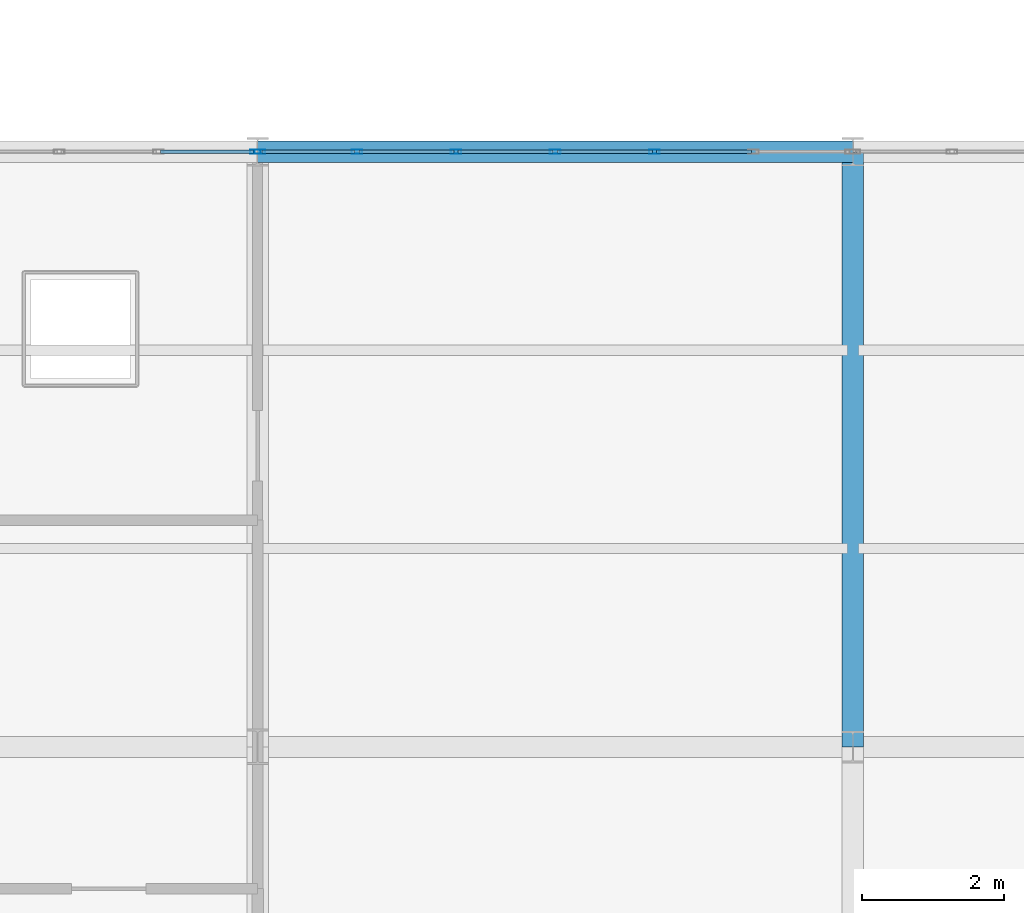
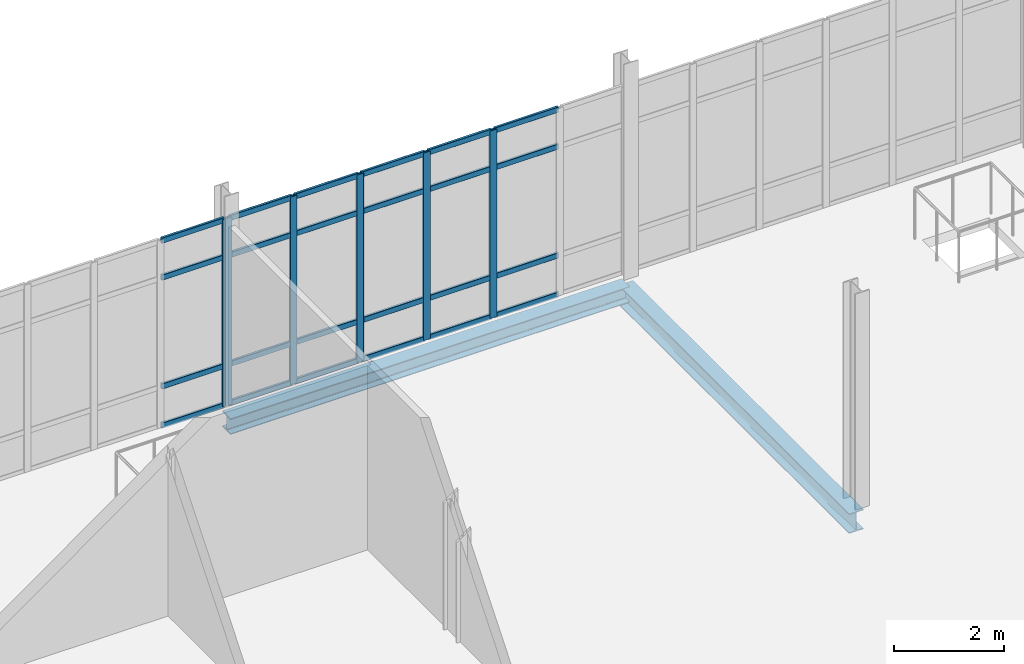
# One storey, part 66 of 145: 30 members, 2 beams, 2 elements without a shape of their own.
"""IFC4 building model written with IfcOpenShell, lengths in metres."""

from ifc_helpers import new_model, si_unit, direction, frame, origin, origin_2d, place, context, subcontext, project, spatial, hollow_rectangle, i_section, extrude, material, layer, layer_set, material_profile, profile_set, type_object, element, aggregate, save


model = new_model("IFC4")

# Units and contexts
model_context = context("Model", 3, precision=1e-05, world=origin(), true_north=direction((0.0, 1.0)))
body_context = subcontext(model_context, "Body", "Model", "MODEL_VIEW")
ifc_project = project(units=[si_unit("LENGTHUNIT", "METRE"), si_unit("AREAUNIT", "SQUARE_METRE"), si_unit("VOLUMEUNIT", "CUBIC_METRE"), si_unit("PLANEANGLEUNIT", "RADIAN"), si_unit("MASSUNIT", "GRAM", prefix="KILO")], contexts=[model_context])

# Site, building, storey
site_placement = place(None, origin())
site = spatial("IfcSite", under=ifc_project, at=site_placement, CompositionType="ELEMENT")
building_placement = place(site_placement, origin())
building = spatial("IfcBuilding", under=site, at=building_placement, Name="Qalvenar Corner Mobility Hub", CompositionType="ELEMENT")
storey_placement = place(building_placement, origin())
storey = spatial("IfcBuildingStorey", under=building, at=storey_placement, Name="L00", CompositionType="ELEMENT", Elevation=0.0)

# Beams
ifc_material_1 = material(Name="Steel S355", Category="steel")
ifc_material_profile_1 = material_profile(ifc_material_1, i_section(OverallWidth=0.300048828125, OverallDepth=0.43994140625, WebThickness=0.011474609375, FlangeThickness=0.02099609375, FilletRadius=0.027099609375, at=origin_2d()), Name="HEA450")
ifc_profile_set_1 = profile_set([ifc_material_profile_1], Name="Steel S355")
beam_type_1 = type_object("IfcBeamType", Name="BM-HEA450", PredefinedType="BEAM", material=ifc_profile_set_1)
beam_1_placement = place(storey_placement, frame((25.199951171875, 84.0, -0.43994140625), z_axis=(0.0, 1.0, 0.0), x_axis=(-1.0, 0.0, 0.0)))
element("IfcBeam", 1, at=beam_1_placement, inside=storey, type_object=beam_type_1, Name="Primary Steel Girder GY-0470", PredefinedType="BEAM", context=body_context, shape_type="SweptSolid", body=[
    extrude(i_section(OverallWidth=0.300048828125, OverallDepth=0.43994140625, WebThickness=0.011474609375, FlangeThickness=0.02099609375, FilletRadius=0.027099609375, at=origin_2d()), origin(), (0.0, 0.0, 1.0), 8.39990234375),
])
ifc_material_profile_2 = material_profile(ifc_material_1, i_section(OverallWidth=0.300048828125, OverallDepth=0.35009765625, WebThickness=0.010009765625, FlangeThickness=0.017578125, FilletRadius=0.027099609375, at=origin_2d()), Name="HEA360")
ifc_profile_set_2 = profile_set([ifc_material_profile_2], Name="Steel S355")
beam_type_2 = type_object("IfcBeamType", Name="BM-SPN360", PredefinedType="SPANDREL", material=ifc_profile_set_2)
beam_2_placement = place(storey_placement, frame((16.800048828125, 92.39990234375, -0.39501953125), z_axis=(1.0, 0.0, 0.0), x_axis=(0.0, 1.0, 0.0)))
element("IfcBeam", 2, at=beam_2_placement, inside=storey, type_object=beam_type_2, Name="Primary Steel Girder GX-0445", PredefinedType="SPANDREL", context=body_context, shape_type="SweptSolid", body=[
    extrude(i_section(OverallWidth=0.300048828125, OverallDepth=0.35009765625, WebThickness=0.010009765625, FlangeThickness=0.017578125, FilletRadius=0.027099609375, at=origin_2d()), origin(), (0.0, 0.0, 1.0), 8.39990234375),
])

# Curtain wall, member
ifc_material_2 = material(Name="Anodised Aluminium and Low-E Glazing", Category="aluminium")
ifc_layer = layer(ifc_material_2, 0.14990234375)
ifc_layer_set = layer_set([ifc_layer], Name="Anodised Aluminium and Low-E Glazing")
curtain_wall_type = type_object("IfcCurtainWallType", Name="CW-CYC-84X39", PredefinedType="NOTDEFINED", material=ifc_layer_set)
curtain_wall_1_placement = place(storey_placement, origin())
curtain_wall_1 = element("IfcCurtainWall", 3, at=curtain_wall_1_placement, inside=storey, type_object=curtain_wall_type, Name="Glazed Curtain Wall CW-V5-L00-N1", PredefinedType="NOTDEFINED")
ifc_material_3 = material(Name="Anodised Aluminium 6063-T6", Category="aluminium")
ifc_material_profile_3 = material_profile(ifc_material_3, hollow_rectangle(XDim=0.06005859375, YDim=0.14990234375, WallThickness=0.00390625, InnerFilletRadius=0.00390625, OuterFilletRadius=0.008056640625, at=origin_2d()), Name="RHS150x60x4")
ifc_profile_set_3 = profile_set([ifc_material_profile_3], Name="Anodised Aluminium 6063-T6")
member_type_1 = type_object("IfcMemberType", Name="CW-MUL150", PredefinedType="MULLION", material=ifc_profile_set_3)
member_1_placement = place(storey_placement, frame((16.77001953125, 92.39990234375, 0.0), z_axis=(0.0, 0.0, 1.0), x_axis=(0.0, -1.0, 0.0)))
member_1 = element("IfcMember", 4, at=member_1_placement, type_object=member_type_1, Name="CW-08 mullion 1", PredefinedType="MULLION", context=body_context, shape_type="SweptSolid", body=[
    extrude(hollow_rectangle(XDim=0.06005859375, YDim=0.14990234375, WallThickness=0.00390625, InnerFilletRadius=0.00390625, OuterFilletRadius=0.008056640625, at=origin_2d()), origin(), (0.0, 0.0, 1.0), 4.169921875),
])

# Curtain wall, members
curtain_wall_2_placement = place(storey_placement, origin())
curtain_wall_2 = element("IfcCurtainWall", 5, at=curtain_wall_2_placement, inside=storey, type_object=curtain_wall_type, Name="Glazed Curtain Wall CW-V5-L00-N2", PredefinedType="NOTDEFINED")
member_2_placement = place(storey_placement, frame((22.39990234375, 92.39990234375, 0.0), z_axis=(0.0, 0.0, 1.0), x_axis=(0.0, -1.0, 0.0)))
member_2 = element("IfcMember", 6, at=member_2_placement, type_object=member_type_1, Name="CW-08 mullion 3", PredefinedType="MULLION", context=body_context, shape_type="SweptSolid", body=[
    extrude(hollow_rectangle(XDim=0.06005859375, YDim=0.14990234375, WallThickness=0.00390625, InnerFilletRadius=0.00390625, OuterFilletRadius=0.008056640625, at=origin_2d()), origin(), (0.0, 0.0, 1.0), 4.169921875),
])
member_3_placement = place(storey_placement, frame((21.0, 92.39990234375, 0.0), z_axis=(0.0, 0.0, 1.0), x_axis=(0.0, -1.0, 0.0)))
member_3 = element("IfcMember", 7, at=member_3_placement, type_object=member_type_1, Name="CW-08 mullion 4", PredefinedType="MULLION", context=body_context, shape_type="SweptSolid", body=[
    extrude(hollow_rectangle(XDim=0.06005859375, YDim=0.14990234375, WallThickness=0.00390625, InnerFilletRadius=0.00390625, OuterFilletRadius=0.008056640625, at=origin_2d()), origin(), (0.0, 0.0, 1.0), 4.169921875),
])
member_4_placement = place(storey_placement, frame((19.60009765625, 92.39990234375, 0.0), z_axis=(0.0, 0.0, 1.0), x_axis=(0.0, -1.0, 0.0)))
member_4 = element("IfcMember", 8, at=member_4_placement, type_object=member_type_1, Name="CW-08 mullion 5", PredefinedType="MULLION", context=body_context, shape_type="SweptSolid", body=[
    extrude(hollow_rectangle(XDim=0.06005859375, YDim=0.14990234375, WallThickness=0.00390625, InnerFilletRadius=0.00390625, OuterFilletRadius=0.008056640625, at=origin_2d()), origin(), (0.0, 0.0, 1.0), 4.169921875),
])
member_5_placement = place(storey_placement, frame((18.199951171875, 92.39990234375, 0.0), z_axis=(0.0, 0.0, 1.0), x_axis=(0.0, -1.0, 0.0)))
member_5 = element("IfcMember", 9, at=member_5_placement, type_object=member_type_1, Name="CW-08 mullion 6", PredefinedType="MULLION", context=body_context, shape_type="SweptSolid", body=[
    extrude(hollow_rectangle(XDim=0.06005859375, YDim=0.14990234375, WallThickness=0.00390625, InnerFilletRadius=0.00390625, OuterFilletRadius=0.008056640625, at=origin_2d()), origin(), (0.0, 0.0, 1.0), 4.169921875),
])
member_6_placement = place(storey_placement, frame((16.830078125, 92.39990234375, 0.0), z_axis=(0.0, 0.0, 1.0), x_axis=(0.0, -1.0, 0.0)))
member_6 = element("IfcMember", 10, at=member_6_placement, type_object=member_type_1, Name="CW-08 mullion 7", PredefinedType="MULLION", context=body_context, shape_type="SweptSolid", body=[
    extrude(hollow_rectangle(XDim=0.06005859375, YDim=0.14990234375, WallThickness=0.00390625, InnerFilletRadius=0.00390625, OuterFilletRadius=0.008056640625, at=origin_2d()), origin(), (0.0, 0.0, 1.0), 4.169921875),
])

# Member
ifc_material_profile_4 = material_profile(ifc_material_3, hollow_rectangle(XDim=0.054931640625, YDim=0.1201171875, WallThickness=0.00341796875, InnerFilletRadius=0.00341796875, OuterFilletRadius=0.007080078125, at=origin_2d()), Name="RHS120x55x3.5")
ifc_profile_set_4 = profile_set([ifc_material_profile_4], Name="Anodised Aluminium 6063-T6")
member_type_2 = type_object("IfcMemberType", Name="CW-TRN120", PredefinedType="USERDEFINED", material=ifc_profile_set_4)
member_7_placement = place(storey_placement, frame((16.739990234375, 92.39990234375, 0.027587890625), z_axis=(-1.0, 0.0, 0.0), x_axis=(0.0, -1.0, 0.0)))
member_7 = element("IfcMember", 11, at=member_7_placement, type_object=member_type_2, Name="CW-08 transom 1.1", ObjectType="TRANSOM", PredefinedType="USERDEFINED", context=body_context, shape_type="SweptSolid", body=[
    extrude(hollow_rectangle(XDim=0.054931640625, YDim=0.1201171875, WallThickness=0.00341796875, InnerFilletRadius=0.00341796875, OuterFilletRadius=0.007080078125, at=origin_2d()), origin(), (0.0, 0.0, 1.0), 1.31005859375),
])

member_8_placement = place(storey_placement, frame((16.739990234375, 92.39990234375, 0.89990234375), z_axis=(-1.0, 0.0, 0.0), x_axis=(0.0, -1.0, 0.0)))
member_8 = element("IfcMember", 12, at=member_8_placement, type_object=member_type_2, Name="CW-08 transom 1.2", ObjectType="TRANSOM", PredefinedType="USERDEFINED", context=body_context, shape_type="SweptSolid", body=[
    extrude(hollow_rectangle(XDim=0.054931640625, YDim=0.1201171875, WallThickness=0.00341796875, InnerFilletRadius=0.00341796875, OuterFilletRadius=0.007080078125, at=origin_2d()), origin(), (0.0, 0.0, 1.0), 1.31005859375),
])

member_9_placement = place(storey_placement, frame((16.739990234375, 92.39990234375, 3.320068359375), z_axis=(-1.0, 0.0, 0.0), x_axis=(0.0, -1.0, 0.0)))
member_9 = element("IfcMember", 13, at=member_9_placement, type_object=member_type_2, Name="CW-08 transom 1.3", ObjectType="TRANSOM", PredefinedType="USERDEFINED", context=body_context, shape_type="SweptSolid", body=[
    extrude(hollow_rectangle(XDim=0.054931640625, YDim=0.1201171875, WallThickness=0.00341796875, InnerFilletRadius=0.00341796875, OuterFilletRadius=0.007080078125, at=origin_2d()), origin(), (0.0, 0.0, 1.0), 1.31005859375),
])

member_10_placement = place(storey_placement, frame((16.739990234375, 92.39990234375, 4.142578125), z_axis=(-1.0, 0.0, 0.0), x_axis=(0.0, -1.0, 0.0)))
member_10 = element("IfcMember", 14, at=member_10_placement, type_object=member_type_2, Name="CW-08 transom 1.4", ObjectType="TRANSOM", PredefinedType="USERDEFINED", context=body_context, shape_type="SweptSolid", body=[
    extrude(hollow_rectangle(XDim=0.054931640625, YDim=0.1201171875, WallThickness=0.00341796875, InnerFilletRadius=0.00341796875, OuterFilletRadius=0.007080078125, at=origin_2d()), origin(), (0.0, 0.0, 1.0), 1.31005859375),
])

aggregate(curtain_wall_1, [member_1, member_7, member_8, member_9, member_10])

member_11_placement = place(storey_placement, frame((23.77001953125, 92.39990234375, 0.027587890625), z_axis=(-1.0, 0.0, 0.0), x_axis=(0.0, -1.0, 0.0)))
member_11 = element("IfcMember", 15, at=member_11_placement, type_object=member_type_2, Name="CW-08 transom 2.1", ObjectType="TRANSOM", PredefinedType="USERDEFINED", context=body_context, shape_type="SweptSolid", body=[
    extrude(hollow_rectangle(XDim=0.054931640625, YDim=0.1201171875, WallThickness=0.00341796875, InnerFilletRadius=0.00341796875, OuterFilletRadius=0.007080078125, at=origin_2d()), origin(), (0.0, 0.0, 1.0), 1.340087890625),
])

member_12_placement = place(storey_placement, frame((23.77001953125, 92.39990234375, 0.89990234375), z_axis=(-1.0, 0.0, 0.0), x_axis=(0.0, -1.0, 0.0)))
member_12 = element("IfcMember", 16, at=member_12_placement, type_object=member_type_2, Name="CW-08 transom 2.2", ObjectType="TRANSOM", PredefinedType="USERDEFINED", context=body_context, shape_type="SweptSolid", body=[
    extrude(hollow_rectangle(XDim=0.054931640625, YDim=0.1201171875, WallThickness=0.00341796875, InnerFilletRadius=0.00341796875, OuterFilletRadius=0.007080078125, at=origin_2d()), origin(), (0.0, 0.0, 1.0), 1.340087890625),
])

member_13_placement = place(storey_placement, frame((23.77001953125, 92.39990234375, 3.320068359375), z_axis=(-1.0, 0.0, 0.0), x_axis=(0.0, -1.0, 0.0)))
member_13 = element("IfcMember", 17, at=member_13_placement, type_object=member_type_2, Name="CW-08 transom 2.3", ObjectType="TRANSOM", PredefinedType="USERDEFINED", context=body_context, shape_type="SweptSolid", body=[
    extrude(hollow_rectangle(XDim=0.054931640625, YDim=0.1201171875, WallThickness=0.00341796875, InnerFilletRadius=0.00341796875, OuterFilletRadius=0.007080078125, at=origin_2d()), origin(), (0.0, 0.0, 1.0), 1.340087890625),
])

member_14_placement = place(storey_placement, frame((23.77001953125, 92.39990234375, 4.142578125), z_axis=(-1.0, 0.0, 0.0), x_axis=(0.0, -1.0, 0.0)))
member_14 = element("IfcMember", 18, at=member_14_placement, type_object=member_type_2, Name="CW-08 transom 2.4", ObjectType="TRANSOM", PredefinedType="USERDEFINED", context=body_context, shape_type="SweptSolid", body=[
    extrude(hollow_rectangle(XDim=0.054931640625, YDim=0.1201171875, WallThickness=0.00341796875, InnerFilletRadius=0.00341796875, OuterFilletRadius=0.007080078125, at=origin_2d()), origin(), (0.0, 0.0, 1.0), 1.340087890625),
])

member_15_placement = place(storey_placement, frame((22.3701171875, 92.39990234375, 0.027587890625), z_axis=(-1.0, 0.0, 0.0), x_axis=(0.0, -1.0, 0.0)))
member_15 = element("IfcMember", 19, at=member_15_placement, type_object=member_type_2, Name="CW-08 transom 3.1", ObjectType="TRANSOM", PredefinedType="USERDEFINED", context=body_context, shape_type="SweptSolid", body=[
    extrude(hollow_rectangle(XDim=0.054931640625, YDim=0.1201171875, WallThickness=0.00341796875, InnerFilletRadius=0.00341796875, OuterFilletRadius=0.007080078125, at=origin_2d()), origin(), (0.0, 0.0, 1.0), 1.340087890625),
])

member_16_placement = place(storey_placement, frame((22.3701171875, 92.39990234375, 0.89990234375), z_axis=(-1.0, 0.0, 0.0), x_axis=(0.0, -1.0, 0.0)))
member_16 = element("IfcMember", 20, at=member_16_placement, type_object=member_type_2, Name="CW-08 transom 3.2", ObjectType="TRANSOM", PredefinedType="USERDEFINED", context=body_context, shape_type="SweptSolid", body=[
    extrude(hollow_rectangle(XDim=0.054931640625, YDim=0.1201171875, WallThickness=0.00341796875, InnerFilletRadius=0.00341796875, OuterFilletRadius=0.007080078125, at=origin_2d()), origin(), (0.0, 0.0, 1.0), 1.340087890625),
])

member_17_placement = place(storey_placement, frame((22.3701171875, 92.39990234375, 3.320068359375), z_axis=(-1.0, 0.0, 0.0), x_axis=(0.0, -1.0, 0.0)))
member_17 = element("IfcMember", 21, at=member_17_placement, type_object=member_type_2, Name="CW-08 transom 3.3", ObjectType="TRANSOM", PredefinedType="USERDEFINED", context=body_context, shape_type="SweptSolid", body=[
    extrude(hollow_rectangle(XDim=0.054931640625, YDim=0.1201171875, WallThickness=0.00341796875, InnerFilletRadius=0.00341796875, OuterFilletRadius=0.007080078125, at=origin_2d()), origin(), (0.0, 0.0, 1.0), 1.340087890625),
])

member_18_placement = place(storey_placement, frame((22.3701171875, 92.39990234375, 4.142578125), z_axis=(-1.0, 0.0, 0.0), x_axis=(0.0, -1.0, 0.0)))
member_18 = element("IfcMember", 22, at=member_18_placement, type_object=member_type_2, Name="CW-08 transom 3.4", ObjectType="TRANSOM", PredefinedType="USERDEFINED", context=body_context, shape_type="SweptSolid", body=[
    extrude(hollow_rectangle(XDim=0.054931640625, YDim=0.1201171875, WallThickness=0.00341796875, InnerFilletRadius=0.00341796875, OuterFilletRadius=0.007080078125, at=origin_2d()), origin(), (0.0, 0.0, 1.0), 1.340087890625),
])

member_19_placement = place(storey_placement, frame((20.969970703125, 92.39990234375, 0.027587890625), z_axis=(-1.0, 0.0, 0.0), x_axis=(0.0, -1.0, 0.0)))
member_19 = element("IfcMember", 23, at=member_19_placement, type_object=member_type_2, Name="CW-08 transom 4.1", ObjectType="TRANSOM", PredefinedType="USERDEFINED", context=body_context, shape_type="SweptSolid", body=[
    extrude(hollow_rectangle(XDim=0.054931640625, YDim=0.1201171875, WallThickness=0.00341796875, InnerFilletRadius=0.00341796875, OuterFilletRadius=0.007080078125, at=origin_2d()), origin(), (0.0, 0.0, 1.0), 1.340087890625),
])

member_20_placement = place(storey_placement, frame((20.969970703125, 92.39990234375, 0.89990234375), z_axis=(-1.0, 0.0, 0.0), x_axis=(0.0, -1.0, 0.0)))
member_20 = element("IfcMember", 24, at=member_20_placement, type_object=member_type_2, Name="CW-08 transom 4.2", ObjectType="TRANSOM", PredefinedType="USERDEFINED", context=body_context, shape_type="SweptSolid", body=[
    extrude(hollow_rectangle(XDim=0.054931640625, YDim=0.1201171875, WallThickness=0.00341796875, InnerFilletRadius=0.00341796875, OuterFilletRadius=0.007080078125, at=origin_2d()), origin(), (0.0, 0.0, 1.0), 1.340087890625),
])

member_21_placement = place(storey_placement, frame((20.969970703125, 92.39990234375, 3.320068359375), z_axis=(-1.0, 0.0, 0.0), x_axis=(0.0, -1.0, 0.0)))
member_21 = element("IfcMember", 25, at=member_21_placement, type_object=member_type_2, Name="CW-08 transom 4.3", ObjectType="TRANSOM", PredefinedType="USERDEFINED", context=body_context, shape_type="SweptSolid", body=[
    extrude(hollow_rectangle(XDim=0.054931640625, YDim=0.1201171875, WallThickness=0.00341796875, InnerFilletRadius=0.00341796875, OuterFilletRadius=0.007080078125, at=origin_2d()), origin(), (0.0, 0.0, 1.0), 1.340087890625),
])

member_22_placement = place(storey_placement, frame((20.969970703125, 92.39990234375, 4.142578125), z_axis=(-1.0, 0.0, 0.0), x_axis=(0.0, -1.0, 0.0)))
member_22 = element("IfcMember", 26, at=member_22_placement, type_object=member_type_2, Name="CW-08 transom 4.4", ObjectType="TRANSOM", PredefinedType="USERDEFINED", context=body_context, shape_type="SweptSolid", body=[
    extrude(hollow_rectangle(XDim=0.054931640625, YDim=0.1201171875, WallThickness=0.00341796875, InnerFilletRadius=0.00341796875, OuterFilletRadius=0.007080078125, at=origin_2d()), origin(), (0.0, 0.0, 1.0), 1.340087890625),
])

member_23_placement = place(storey_placement, frame((19.570068359375, 92.39990234375, 0.027587890625), z_axis=(-1.0, 0.0, 0.0), x_axis=(0.0, -1.0, 0.0)))
member_23 = element("IfcMember", 27, at=member_23_placement, type_object=member_type_2, Name="CW-08 transom 5.1", ObjectType="TRANSOM", PredefinedType="USERDEFINED", context=body_context, shape_type="SweptSolid", body=[
    extrude(hollow_rectangle(XDim=0.054931640625, YDim=0.1201171875, WallThickness=0.00341796875, InnerFilletRadius=0.00341796875, OuterFilletRadius=0.007080078125, at=origin_2d()), origin(), (0.0, 0.0, 1.0), 1.340087890625),
])

member_24_placement = place(storey_placement, frame((19.570068359375, 92.39990234375, 0.89990234375), z_axis=(-1.0, 0.0, 0.0), x_axis=(0.0, -1.0, 0.0)))
member_24 = element("IfcMember", 28, at=member_24_placement, type_object=member_type_2, Name="CW-08 transom 5.2", ObjectType="TRANSOM", PredefinedType="USERDEFINED", context=body_context, shape_type="SweptSolid", body=[
    extrude(hollow_rectangle(XDim=0.054931640625, YDim=0.1201171875, WallThickness=0.00341796875, InnerFilletRadius=0.00341796875, OuterFilletRadius=0.007080078125, at=origin_2d()), origin(), (0.0, 0.0, 1.0), 1.340087890625),
])

member_25_placement = place(storey_placement, frame((19.570068359375, 92.39990234375, 3.320068359375), z_axis=(-1.0, 0.0, 0.0), x_axis=(0.0, -1.0, 0.0)))
member_25 = element("IfcMember", 29, at=member_25_placement, type_object=member_type_2, Name="CW-08 transom 5.3", ObjectType="TRANSOM", PredefinedType="USERDEFINED", context=body_context, shape_type="SweptSolid", body=[
    extrude(hollow_rectangle(XDim=0.054931640625, YDim=0.1201171875, WallThickness=0.00341796875, InnerFilletRadius=0.00341796875, OuterFilletRadius=0.007080078125, at=origin_2d()), origin(), (0.0, 0.0, 1.0), 1.340087890625),
])

member_26_placement = place(storey_placement, frame((19.570068359375, 92.39990234375, 4.142578125), z_axis=(-1.0, 0.0, 0.0), x_axis=(0.0, -1.0, 0.0)))
member_26 = element("IfcMember", 30, at=member_26_placement, type_object=member_type_2, Name="CW-08 transom 5.4", ObjectType="TRANSOM", PredefinedType="USERDEFINED", context=body_context, shape_type="SweptSolid", body=[
    extrude(hollow_rectangle(XDim=0.054931640625, YDim=0.1201171875, WallThickness=0.00341796875, InnerFilletRadius=0.00341796875, OuterFilletRadius=0.007080078125, at=origin_2d()), origin(), (0.0, 0.0, 1.0), 1.340087890625),
])

member_27_placement = place(storey_placement, frame((18.169921875, 92.39990234375, 0.027587890625), z_axis=(-1.0, 0.0, 0.0), x_axis=(0.0, -1.0, 0.0)))
member_27 = element("IfcMember", 31, at=member_27_placement, type_object=member_type_2, Name="CW-08 transom 6.1", ObjectType="TRANSOM", PredefinedType="USERDEFINED", context=body_context, shape_type="SweptSolid", body=[
    extrude(hollow_rectangle(XDim=0.054931640625, YDim=0.1201171875, WallThickness=0.00341796875, InnerFilletRadius=0.00341796875, OuterFilletRadius=0.007080078125, at=origin_2d()), origin(), (0.0, 0.0, 1.0), 1.309814453125),
])

member_28_placement = place(storey_placement, frame((18.169921875, 92.39990234375, 0.89990234375), z_axis=(-1.0, 0.0, 0.0), x_axis=(0.0, -1.0, 0.0)))
member_28 = element("IfcMember", 32, at=member_28_placement, type_object=member_type_2, Name="CW-08 transom 6.2", ObjectType="TRANSOM", PredefinedType="USERDEFINED", context=body_context, shape_type="SweptSolid", body=[
    extrude(hollow_rectangle(XDim=0.054931640625, YDim=0.1201171875, WallThickness=0.00341796875, InnerFilletRadius=0.00341796875, OuterFilletRadius=0.007080078125, at=origin_2d()), origin(), (0.0, 0.0, 1.0), 1.309814453125),
])

member_29_placement = place(storey_placement, frame((18.169921875, 92.39990234375, 3.320068359375), z_axis=(-1.0, 0.0, 0.0), x_axis=(0.0, -1.0, 0.0)))
member_29 = element("IfcMember", 33, at=member_29_placement, type_object=member_type_2, Name="CW-08 transom 6.3", ObjectType="TRANSOM", PredefinedType="USERDEFINED", context=body_context, shape_type="SweptSolid", body=[
    extrude(hollow_rectangle(XDim=0.054931640625, YDim=0.1201171875, WallThickness=0.00341796875, InnerFilletRadius=0.00341796875, OuterFilletRadius=0.007080078125, at=origin_2d()), origin(), (0.0, 0.0, 1.0), 1.309814453125),
])

member_30_placement = place(storey_placement, frame((18.169921875, 92.39990234375, 4.142578125), z_axis=(-1.0, 0.0, 0.0), x_axis=(0.0, -1.0, 0.0)))
member_30 = element("IfcMember", 34, at=member_30_placement, type_object=member_type_2, Name="CW-08 transom 6.4", ObjectType="TRANSOM", PredefinedType="USERDEFINED", context=body_context, shape_type="SweptSolid", body=[
    extrude(hollow_rectangle(XDim=0.054931640625, YDim=0.1201171875, WallThickness=0.00341796875, InnerFilletRadius=0.00341796875, OuterFilletRadius=0.007080078125, at=origin_2d()), origin(), (0.0, 0.0, 1.0), 1.309814453125),
])

aggregate(curtain_wall_2, [member_2, member_3, member_4, member_5, member_6, member_11, member_12, member_13, member_14, member_15, member_16, member_17, member_18, member_19, member_20, member_21, member_22, member_23, member_24, member_25, member_26, member_27, member_28, member_29, member_30])

save(model, "model.ifc")
